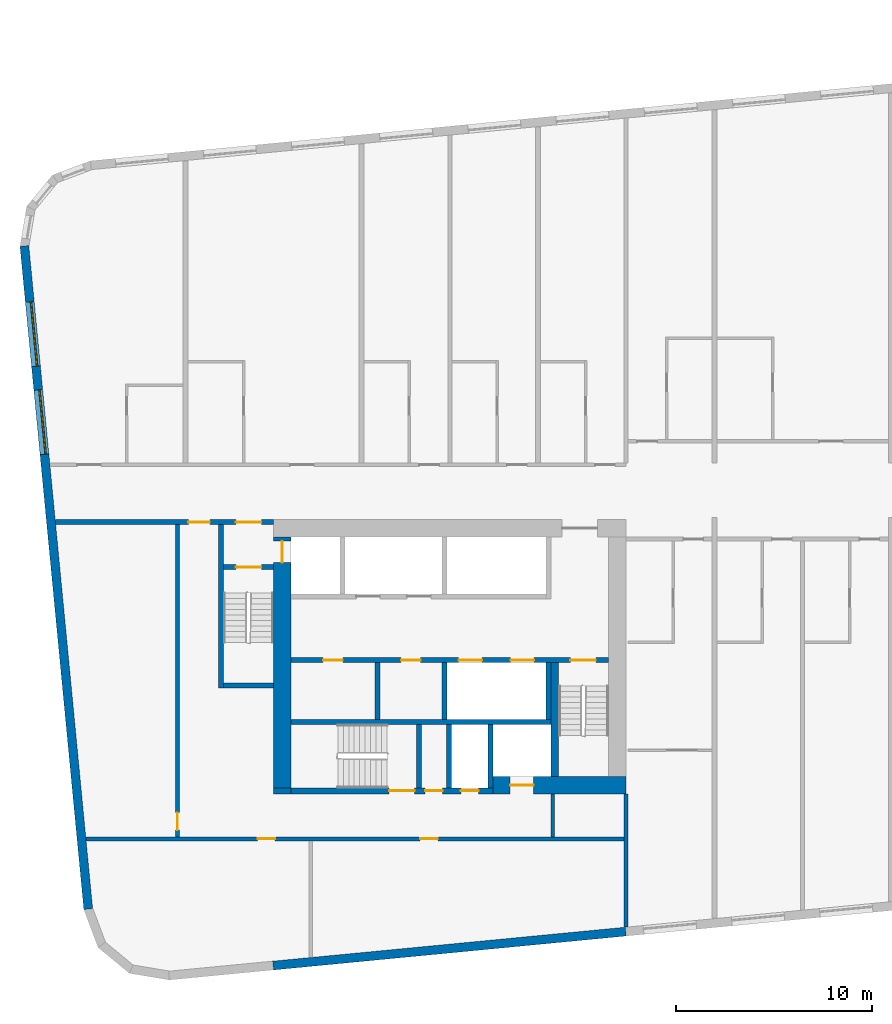
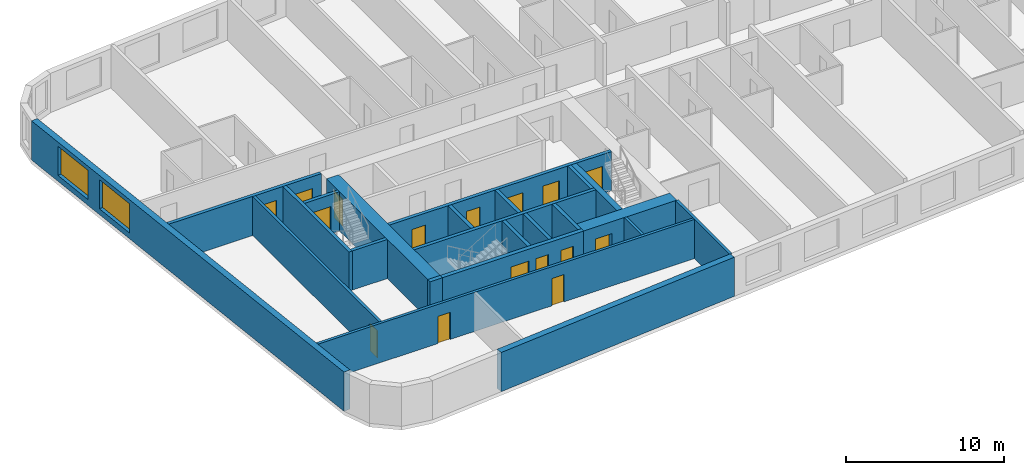
# One storey, part 2 of 12: 23 walls, 16 doors, 2 windows, 18 openings.
"""IFC4 building model written with IfcOpenShell, lengths in metres."""

from ifc_helpers import new_model, si_unit, direction, frame, frame_2d, origin, place, context, subcontext, project, spatial, rectangle, extrude, material, layer, layer_set, type_object, element, fill, save


model = new_model("IFC4")

# Units and contexts
model_context = context("Model", 3, precision=1e-05, world=origin(), true_north=direction((0.0, 1.0)))
body_context = subcontext(model_context, "Body", "Model", "MODEL_VIEW")
ifc_project = project(units=[si_unit("LENGTHUNIT", "METRE"), si_unit("AREAUNIT", "SQUARE_METRE"), si_unit("VOLUMEUNIT", "CUBIC_METRE"), si_unit("PLANEANGLEUNIT", "RADIAN"), si_unit("MASSUNIT", "GRAM", prefix="KILO")], contexts=[model_context])

# Site, building, storey
site_placement = place(None, origin())
site = spatial("IfcSite", under=ifc_project, at=site_placement, CompositionType="ELEMENT")
building_placement = place(site_placement, origin())
building = spatial("IfcBuilding", under=site, at=building_placement, Name="Kajstack Hotel Tower", CompositionType="ELEMENT")
storey_placement = place(building_placement, frame((0.0, 0.0, 183.39990234375)))
storey = spatial("IfcBuildingStorey", under=building, at=storey_placement, Name="L43", CompositionType="ELEMENT", Elevation=183.39990234375)

# Wall, opening, door
ifc_material_1 = material(Name="Concrete C60/75", Category="concrete")
ifc_layer_1 = layer(ifc_material_1, 0.89990234375)
ifc_layer_set_1 = layer_set([ifc_layer_1], Name="Core wall 900")
wall_type_1 = type_object("IfcWallType", Name="Core wall 900", PredefinedType="SHEAR", material=ifc_layer_set_1)
wall_1_placement = place(storey_placement, frame((-20.300048828125, -15.050048828125, 0.0), z_axis=(0.0, 0.0, 1.0), x_axis=(1.0, 0.0, 0.0)))
wall_1 = element("IfcWall", 1, at=wall_1_placement, inside=storey, type_object=wall_type_1, Name="Core wall W RS", PredefinedType="SHEAR", context=body_context, shape_type="SweptSolid", body=[
    extrude(rectangle(XDim=6.800048828125, YDim=0.89990234375, at=frame_2d((3.39990234375, 0.0))), origin(), (0.0, 0.0, 1.0), 3.02001953125),
])
opening_1_placement = place(wall_1_placement, frame((0.875, 0.0, 0.0)))
opening_1 = element("IfcOpeningElement", 2, at=opening_1_placement, cuts=wall_1, Name="Opening LD-SV1", PredefinedType="OPENING", context=body_context, shape_type="SweptSolid", body=[
    extrude(rectangle(XDim=1.199951171875, YDim=2.10009765625, at=frame_2d((0.60009765625, 1.050048828125))), frame((0.0, 0.4599609375, 0.0), z_axis=(0.0, -1.0, 0.0), x_axis=(1.0, 0.0, 0.0)), (0.0, 0.0, 1.0), 0.919921875),
])
ifc_material_2 = material(Name="Stainless steel", Category="steel")
door_type_1 = type_object("IfcDoorType", Name="Lift landing door 1200", OperationType="SLIDING_TO_LEFT", PredefinedType="DOOR", material=ifc_material_2)
door_1_placement = place(opening_1_placement, origin())
door_1 = element("IfcDoor", 3, at=door_1_placement, inside=storey, type_object=door_type_1, Name="Landing door SV1", OperationType="SLIDING_TO_LEFT", OverallHeight=2.10009765625, OverallWidth=1.199951171875, PredefinedType="DOOR", context=body_context, shape_type="SweptSolid", body=[
    extrude(rectangle(XDim=1.199951171875, YDim=2.10009765625, at=frame_2d((0.60009765625, 1.050048828125))), frame((0.0, 0.02490234375, 0.0), z_axis=(0.0, -1.0, 0.0), x_axis=(1.0, 0.0, 0.0)), (0.0, 0.0, 1.0), 0.050048828125),
])
fill(opening_1, door_1)

# Wall
wall_2_placement = place(storey_placement, frame((-31.5, -15.35009765625, 0.0), z_axis=(0.0, 0.0, 1.0), x_axis=(1.0, 0.0, 0.0)))
element("IfcWall", 4, at=wall_2_placement, inside=storey, type_object=wall_type_1, Name="Core wall W RSW", PredefinedType="SHEAR", context=body_context, shape_type="SweptSolid", body=[
    extrude(rectangle(XDim=0.89990234375, YDim=0.300048828125, at=frame_2d((0.449951171875, 0.0))), origin(), (0.0, 0.0, 1.0), 3.02001953125),
])

# Wall, opening, door
wall_3_placement = place(storey_placement, frame((-31.050048828125, -15.199951171875, 0.0), z_axis=(0.0, 0.0, 1.0), x_axis=(0.0, 1.0, 0.0)))
wall_3 = element("IfcWall", 5, at=wall_3_placement, inside=storey, type_object=wall_type_1, Name="Core wall W RW", PredefinedType="SHEAR", context=body_context, shape_type="SweptSolid", body=[
    extrude(rectangle(XDim=12.800048828125, YDim=0.89990234375, at=frame_2d((6.39990234375, 0.0))), origin(), (0.0, 0.0, 1.0), 3.02001953125),
])
opening_2_placement = place(wall_3_placement, frame((11.5, 0.0, 0.0)))
opening_2 = element("IfcOpeningElement", 6, at=opening_2_placement, cuts=wall_3, Name="Opening LD-FF1", PredefinedType="OPENING", context=body_context, shape_type="SweptSolid", body=[
    extrude(rectangle(XDim=1.10009765625, YDim=2.10009765625, at=frame_2d((0.550048828125, 1.050048828125))), frame((0.0, 0.4599609375, 0.0), z_axis=(0.0, -1.0, 0.0), x_axis=(1.0, 0.0, 0.0)), (0.0, 0.0, 1.0), 0.919921875),
])
door_type_2 = type_object("IfcDoorType", Name="Fire-fighting lift landing door 1100", OperationType="SLIDING_TO_LEFT", PredefinedType="DOOR", material=ifc_material_2)
door_2_placement = place(opening_2_placement, origin())
door_2 = element("IfcDoor", 7, at=door_2_placement, inside=storey, type_object=door_type_2, Name="Landing door FF1", OperationType="SLIDING_TO_RIGHT", OverallHeight=2.10009765625, OverallWidth=1.10009765625, PredefinedType="DOOR", context=body_context, shape_type="SweptSolid", body=[
    extrude(rectangle(XDim=1.10009765625, YDim=2.10009765625, at=frame_2d((0.550048828125, 1.050048828125))), frame((0.0, 0.02490234375, 0.0), z_axis=(0.0, -1.0, 0.0), x_axis=(1.0, 0.0, 0.0)), (0.0, 0.0, 1.0), 0.050048828125),
])
fill(opening_2, door_2)

# Walls
ifc_material_3 = material(Name="Twin-frame gypsum board on steel studs, mineral wool", Category="steel")
ifc_layer_2 = layer(ifc_material_3, 0.199951171875)
ifc_layer_set_2 = layer_set([ifc_layer_2], Name="Demising wall 200")
wall_type_2 = type_object("IfcWallType", Name="Demising wall 200", PredefinedType="PARTITIONING", material=ifc_layer_set_2)
wall_4_placement = place(storey_placement, frame((-13.5, -22.300048828125, 0.0), z_axis=(0.0, 0.0, 1.0), x_axis=(0.0, 1.0, 0.0)))
element("IfcWall", 8, at=wall_4_placement, inside=storey, type_object=wall_type_2, Name="G-wall-L43-002", PredefinedType="PARTITIONING", context=body_context, shape_type="SweptSolid", body=[
    extrude(rectangle(XDim=6.800048828125, YDim=0.199951171875, at=frame_2d((3.39990234375, 0.0))), origin(), (0.0, 0.0, 1.0), 3.02001953125),
])
ifc_material_4 = material(Name="Concrete C40/50", Category="concrete")
ifc_layer_3 = layer(ifc_material_4, 0.449951171875)
ifc_layer_set_3 = layer_set([ifc_layer_3], Name="EW-CORE")
wall_type_3 = type_object("IfcWallType", Name="EW-CORE", PredefinedType="SOLIDWALL", material=ifc_layer_set_3)
wall_5_placement = place(storey_placement, frame((-31.521484375, -24.26171875, 0.0), z_axis=(0.0, 0.0, 1.0), x_axis=(0.995396454615, 0.095843091245, 0.0)))
element("IfcWall", 9, at=wall_5_placement, inside=storey, type_object=wall_type_3, Name="E-wall-L43-04-01", PredefinedType="SOLIDWALL", context=body_context, shape_type="SweptSolid", body=[
    extrude(rectangle(XDim=18.083251953125, YDim=0.449951171875, at=frame_2d((9.04150390625, 0.0))), origin(), (0.0, 0.0, 1.0), 3.02001953125),
])

# Wall, openings, windows
ifc_material_5 = material(Name="Terracotta-faced brick masonry", Category="masonry")
ifc_layer_4 = layer(ifc_material_5, 0.449951171875)
ifc_layer_set_4 = layer_set([ifc_layer_4], Name="EW-TERRA")
wall_type_4 = type_object("IfcWallType", Name="EW-TERRA", PredefinedType="SOLIDWALL", material=ifc_layer_set_4)
wall_6_placement = place(storey_placement, frame((-44.21435546875, 12.465576171875, 0.0), z_axis=(0.0, 0.0, 1.0), x_axis=(0.095847314626, -0.995396047952, 0.0)))
wall_6 = element("IfcWall", 10, at=wall_6_placement, inside=storey, type_object=wall_type_4, Name="E-wall-L43-00-00", PredefinedType="SOLIDWALL", context=body_context, shape_type="SweptSolid", body=[
    extrude(rectangle(XDim=33.999755859375, YDim=0.449951171875, at=frame_2d((17.0, 0.0))), origin(), (0.0, 0.0, 1.0), 3.02001953125),
])
opening_3_placement = place(wall_6_placement, frame((2.864990234375, 0.0, 0.449951171875)))
opening_3 = element("IfcOpeningElement", 11, at=opening_3_placement, cuts=wall_6, Name="Opening W2", PredefinedType="OPENING", context=body_context, shape_type="SweptSolid", body=[
    extrude(rectangle(XDim=3.300048828125, YDim=2.25, at=frame_2d((1.64990234375, 1.125))), frame((0.0, 0.23486328125, 0.0), z_axis=(0.0, -1.0, 0.0), x_axis=(1.0, 0.0, 0.0)), (0.0, 0.0, 1.0), 0.469970703125),
])
opening_4_placement = place(wall_6_placement, frame((7.3857421875, 0.0, 0.449951171875)))
opening_4 = element("IfcOpeningElement", 12, at=opening_4_placement, cuts=wall_6, Name="Opening W2", PredefinedType="OPENING", context=body_context, shape_type="SweptSolid", body=[
    extrude(rectangle(XDim=3.300048828125, YDim=2.25, at=frame_2d((1.64990234375, 1.125))), frame((0.0, 0.23486328125, 0.0), z_axis=(0.0, -1.0, 0.0), x_axis=(1.0, 0.0, 0.0)), (0.0, 0.0, 1.0), 0.469970703125),
])
ifc_material_6 = material(Name="Timber-aluminium window, triple glazed", Category="wood")
window_type = type_object("IfcWindowType", Name="WG2", PartitioningType="SINGLE_PANEL", PredefinedType="WINDOW", material=ifc_material_6)
window_1_placement = place(opening_3_placement, origin())
window_1 = element("IfcWindow", 13, at=window_1_placement, inside=storey, type_object=window_type, Name="Window W2 L43-00", OverallHeight=2.25, OverallWidth=3.300048828125, PartitioningType="SINGLE_PANEL", PredefinedType="WINDOW", context=body_context, shape_type="SweptSolid", body=[
    extrude(rectangle(XDim=3.300048828125, YDim=2.25, at=frame_2d((1.64990234375, 1.125))), frame((0.0, 0.090087890625, 0.0), z_axis=(0.0, -1.0, 0.0), x_axis=(1.0, 0.0, 0.0)), (0.0, 0.0, 1.0), 0.06005859375),
])
fill(opening_3, window_1)
window_2_placement = place(opening_4_placement, origin())
window_2 = element("IfcWindow", 14, at=window_2_placement, inside=storey, type_object=window_type, Name="Window W2 L43-00", OverallHeight=2.25, OverallWidth=3.300048828125, PartitioningType="SINGLE_PANEL", PredefinedType="WINDOW", context=body_context, shape_type="SweptSolid", body=[
    extrude(rectangle(XDim=3.300048828125, YDim=2.25, at=frame_2d((1.64990234375, 1.125))), frame((0.0, 0.090087890625, 0.0), z_axis=(0.0, -1.0, 0.0), x_axis=(1.0, 0.0, 0.0)), (0.0, 0.0, 1.0), 0.06005859375),
])
fill(opening_4, window_2)

# Walls
ifc_material_7 = material(Name="Concrete C50/60", Category="concrete")
ifc_layer_5 = layer(ifc_material_7, 0.300048828125)
ifc_layer_set_5 = layer_set([ifc_layer_5], Name="Hoistway divider wall 300")
wall_type_5 = type_object("IfcWallType", Name="Hoistway divider wall 300", PredefinedType="SHEAR", material=ifc_layer_set_5)
wall_7_placement = place(storey_placement, frame((-22.77490234375, -11.699951171875, 0.0), z_axis=(0.0, 0.0, 1.0), x_axis=(0.0, 1.0, 0.0)))
element("IfcWall", 15, at=wall_7_placement, inside=storey, type_object=wall_type_5, Name="Core wall W BP2", PredefinedType="SHEAR", context=body_context, shape_type="SweptSolid", body=[
    extrude(rectangle(XDim=2.89990234375, YDim=0.25, at=frame_2d((1.449951171875, 0.0))), origin(), (0.0, 0.0, 1.0), 3.02001953125),
])
ifc_material_8 = material(Name="Concrete block masonry", Category="masonry")
ifc_layer_6 = layer(ifc_material_8, 0.25)
ifc_layer_set_6 = layer_set([ifc_layer_6], Name="Riser partition 250")
wall_type_6 = type_object("IfcWallType", Name="Riser partition 250", PredefinedType="PARTITIONING", material=ifc_layer_set_6)
wall_8_placement = place(storey_placement, frame((-26.199951171875, -11.699951171875, 0.0), z_axis=(0.0, 0.0, 1.0), x_axis=(0.0, 1.0, 0.0)))
element("IfcWall", 16, at=wall_8_placement, inside=storey, type_object=wall_type_6, Name="Partition W BF0", PredefinedType="PARTITIONING", context=body_context, shape_type="SweptSolid", body=[
    extrude(rectangle(XDim=2.89990234375, YDim=0.25, at=frame_2d((1.449951171875, 0.0))), origin(), (0.0, 0.0, 1.0), 3.02001953125),
])
wall_9_placement = place(storey_placement, frame((-22.550048828125, -15.199951171875, 0.0), z_axis=(0.0, 0.0, 1.0), x_axis=(0.0, 1.0, 0.0)))
element("IfcWall", 17, at=wall_9_placement, inside=storey, type_object=wall_type_6, Name="Partition W SZ0", PredefinedType="PARTITIONING", context=body_context, shape_type="SweptSolid", body=[
    extrude(rectangle(XDim=3.25, YDim=0.25, at=frame_2d((1.625, 0.0))), origin(), (0.0, 0.0, 1.0), 3.02001953125),
])

# Wall, openings, doors
ifc_material_9 = material(Name="Gypsum board on steel studs, mineral wool", Category="steel")
ifc_layer_7 = layer(ifc_material_9, 0.199951171875)
ifc_layer_set_7 = layer_set([ifc_layer_7], Name="Service partition 200")
wall_type_7 = type_object("IfcWallType", Name="Service partition 200", PredefinedType="PARTITIONING", material=ifc_layer_set_7)
wall_10_placement = place(storey_placement, frame((-42.631591796875, -1.625, 0.0), z_axis=(0.0, 0.0, 1.0), x_axis=(1.0, 0.0, 0.0)))
wall_10 = element("IfcWall", 18, at=wall_10_placement, inside=storey, type_object=wall_type_7, Name="Partition W SN", PredefinedType="PARTITIONING", context=body_context, shape_type="SweptSolid", body=[
    extrude(rectangle(XDim=11.131591796875, YDim=0.25, at=frame_2d((5.56591796875, 0.0))), origin(), (0.0, 0.0, 1.0), 3.02001953125),
])
opening_5_placement = place(wall_10_placement, frame((9.20654296875, 0.0, 0.0)))
opening_5 = element("IfcOpeningElement", 19, at=opening_5_placement, cuts=wall_10, Name="Opening 43W08", PredefinedType="OPENING", context=body_context, shape_type="SweptSolid", body=[
    extrude(rectangle(XDim=1.300048828125, YDim=2.10009765625, at=frame_2d((0.64990234375, 1.050048828125))), frame((0.0, 0.135009765625, 0.0), z_axis=(0.0, -1.0, 0.0), x_axis=(1.0, 0.0, 0.0)), (0.0, 0.0, 1.0), 0.27001953125),
])
opening_6_placement = place(wall_10_placement, frame((6.781494140625, 0.0, 0.0)))
opening_6 = element("IfcOpeningElement", 20, at=opening_6_placement, cuts=wall_10, Name="Opening 43W10", PredefinedType="OPENING", context=body_context, shape_type="SweptSolid", body=[
    extrude(rectangle(XDim=1.10009765625, YDim=2.10009765625, at=frame_2d((0.550048828125, 1.050048828125))), frame((0.0, 0.135009765625, 0.0), z_axis=(0.0, -1.0, 0.0), x_axis=(1.0, 0.0, 0.0)), (0.0, 0.0, 1.0), 0.27001953125),
])
ifc_material_10 = material(Name="Steel leaf, fire-rated", Category="steel")
door_type_3 = type_object("IfcDoorType", Name="Fire lobby door 1300", OperationType="SINGLE_SWING_LEFT", PredefinedType="DOOR", material=ifc_material_10)
door_3_placement = place(opening_5_placement, origin())
door_3 = element("IfcDoor", 21, at=door_3_placement, inside=storey, type_object=door_type_3, Name="Door 43W08", OperationType="SINGLE_SWING_RIGHT", OverallHeight=2.10009765625, OverallWidth=1.300048828125, PredefinedType="DOOR", context=body_context, shape_type="SweptSolid", body=[
    extrude(rectangle(XDim=1.300048828125, YDim=2.10009765625, at=frame_2d((0.64990234375, 1.050048828125))), frame((0.0, 0.02490234375, 0.0), z_axis=(0.0, -1.0, 0.0), x_axis=(1.0, 0.0, 0.0)), (0.0, 0.0, 1.0), 0.050048828125),
])
fill(opening_5, door_3)
ifc_material_11 = material(Name="Timber leaf, fire-rated", Category="wood")
door_type_4 = type_object("IfcDoorType", Name="Service corridor door 1100", OperationType="SINGLE_SWING_LEFT", PredefinedType="DOOR", material=ifc_material_11)
door_4_placement = place(opening_6_placement, origin())
door_4 = element("IfcDoor", 22, at=door_4_placement, inside=storey, type_object=door_type_4, Name="Door 43W10", OperationType="SINGLE_SWING_RIGHT", OverallHeight=2.10009765625, OverallWidth=1.10009765625, PredefinedType="DOOR", context=body_context, shape_type="SweptSolid", body=[
    extrude(rectangle(XDim=1.10009765625, YDim=2.10009765625, at=frame_2d((0.550048828125, 1.050048828125))), frame((0.0, 0.02490234375, 0.0), z_axis=(0.0, -1.0, 0.0), x_axis=(1.0, 0.0, 0.0)), (0.0, 0.0, 1.0), 0.050048828125),
])
fill(opening_6, door_4)

# Wall
wall_11_placement = place(storey_placement, frame((-17.25, -17.699951171875, 0.0), z_axis=(0.0, 0.0, 1.0), x_axis=(0.0, 1.0, 0.0)))
element("IfcWall", 23, at=wall_11_placement, inside=storey, type_object=wall_type_7, Name="Partition W SCE", PredefinedType="PARTITIONING", context=body_context, shape_type="SweptSolid", body=[
    extrude(rectangle(XDim=2.199951171875, YDim=0.199951171875, at=frame_2d((1.10009765625, 0.0))), origin(), (0.0, 0.0, 1.0), 3.02001953125),
])

# Wall, opening, door
wall_12_placement = place(storey_placement, frame((-36.39990234375, -17.699951171875, 0.0), z_axis=(0.0, 0.0, 1.0), x_axis=(0.0, 1.0, 0.0)))
wall_12 = element("IfcWall", 24, at=wall_12_placement, inside=storey, type_object=wall_type_7, Name="Partition W WRE", PredefinedType="PARTITIONING", context=body_context, shape_type="SweptSolid", body=[
    extrude(rectangle(XDim=15.949951171875, YDim=0.199951171875, at=frame_2d((7.97509765625, 0.0))), origin(), (0.0, 0.0, 1.0), 3.02001953125),
])
opening_7_placement = place(wall_12_placement, frame((0.35009765625, 0.0, 0.0)))
opening_7 = element("IfcOpeningElement", 25, at=opening_7_placement, cuts=wall_12, Name="Opening 43W19", PredefinedType="OPENING", context=body_context, shape_type="SweptSolid", body=[
    extrude(rectangle(XDim=0.89990234375, YDim=2.10009765625, at=frame_2d((0.449951171875, 1.050048828125))), frame((0.0, 0.10986328125, 0.0), z_axis=(0.0, -1.0, 0.0), x_axis=(1.0, 0.0, 0.0)), (0.0, 0.0, 1.0), 0.219970703125),
])
door_type_5 = type_object("IfcDoorType", Name="Service door 900", OperationType="SINGLE_SWING_LEFT", PredefinedType="DOOR", material=ifc_material_11)
door_5_placement = place(opening_7_placement, origin())
door_5 = element("IfcDoor", 26, at=door_5_placement, inside=storey, type_object=door_type_5, Name="Door 43W19", OperationType="SINGLE_SWING_LEFT", OverallHeight=2.10009765625, OverallWidth=0.89990234375, PredefinedType="DOOR", context=body_context, shape_type="SweptSolid", body=[
    extrude(rectangle(XDim=0.89990234375, YDim=2.10009765625, at=frame_2d((0.449951171875, 1.050048828125))), frame((0.0, 0.02490234375, 0.0), z_axis=(0.0, -1.0, 0.0), x_axis=(1.0, 0.0, 0.0)), (0.0, 0.0, 1.0), 0.050048828125),
])
fill(opening_7, door_5)

# Wall, openings, doors
wall_13_placement = place(storey_placement, frame((-41.07421875, -17.800048828125, 0.0), z_axis=(0.0, 0.0, 1.0), x_axis=(1.0, 0.0, 0.0)))
wall_13 = element("IfcWall", 27, at=wall_13_placement, inside=storey, type_object=wall_type_7, Name="Partition W SLN", PredefinedType="PARTITIONING", context=body_context, shape_type="SweptSolid", body=[
    extrude(rectangle(XDim=27.47412109375, YDim=0.199951171875, at=frame_2d((13.737060546875, 0.0))), origin(), (0.0, 0.0, 1.0), 3.02001953125),
])
opening_8_placement = place(wall_13_placement, frame((8.76171875, 0.0, 0.0)))
opening_8 = element("IfcOpeningElement", 28, at=opening_8_placement, cuts=wall_13, Name="Opening 43W17", PredefinedType="OPENING", context=body_context, shape_type="SweptSolid", body=[
    extrude(rectangle(XDim=0.89990234375, YDim=2.10009765625, at=frame_2d((0.449951171875, 1.050048828125))), frame((0.0, 0.10986328125, 0.0), z_axis=(0.0, -1.0, 0.0), x_axis=(1.0, 0.0, 0.0)), (0.0, 0.0, 1.0), 0.219970703125),
])
opening_9_placement = place(wall_13_placement, frame((17.0615234375, 0.0, 0.0)))
opening_9 = element("IfcOpeningElement", 29, at=opening_9_placement, cuts=wall_13, Name="Opening 43W18", PredefinedType="OPENING", context=body_context, shape_type="SweptSolid", body=[
    extrude(rectangle(XDim=0.89990234375, YDim=2.10009765625, at=frame_2d((0.449951171875, 1.050048828125))), frame((0.0, 0.10986328125, 0.0), z_axis=(0.0, -1.0, 0.0), x_axis=(1.0, 0.0, 0.0)), (0.0, 0.0, 1.0), 0.219970703125),
])
door_6_placement = place(opening_8_placement, origin())
door_6 = element("IfcDoor", 30, at=door_6_placement, inside=storey, type_object=door_type_5, Name="Door 43W17", OperationType="SINGLE_SWING_RIGHT", OverallHeight=2.10009765625, OverallWidth=0.89990234375, PredefinedType="DOOR", context=body_context, shape_type="SweptSolid", body=[
    extrude(rectangle(XDim=0.89990234375, YDim=2.10009765625, at=frame_2d((0.449951171875, 1.050048828125))), frame((0.0, 0.02490234375, 0.0), z_axis=(0.0, -1.0, 0.0), x_axis=(1.0, 0.0, 0.0)), (0.0, 0.0, 1.0), 0.050048828125),
])
fill(opening_8, door_6)
door_7_placement = place(opening_9_placement, origin())
door_7 = element("IfcDoor", 31, at=door_7_placement, inside=storey, type_object=door_type_5, Name="Door 43W18", OperationType="SINGLE_SWING_RIGHT", OverallHeight=2.10009765625, OverallWidth=0.89990234375, PredefinedType="DOOR", context=body_context, shape_type="SweptSolid", body=[
    extrude(rectangle(XDim=0.89990234375, YDim=2.10009765625, at=frame_2d((0.449951171875, 1.050048828125))), frame((0.0, 0.02490234375, 0.0), z_axis=(0.0, -1.0, 0.0), x_axis=(1.0, 0.0, 0.0)), (0.0, 0.0, 1.0), 0.050048828125),
])
fill(opening_9, door_7)

ifc_layer_8 = layer(ifc_material_7, 0.25)
ifc_layer_set_8 = layer_set([ifc_layer_8], Name="Shaft wall 250")
wall_type_8 = type_object("IfcWallType", Name="Shaft wall 250", PredefinedType="SHEAR", material=ifc_layer_set_8)
wall_14_placement = place(storey_placement, frame((-30.60009765625, -15.35009765625, 0.0), z_axis=(0.0, 0.0, 1.0), x_axis=(1.0, 0.0, 0.0)))
wall_14 = element("IfcWall", 32, at=wall_14_placement, inside=storey, type_object=wall_type_8, Name="Core wall W RSS", PredefinedType="SHEAR", context=body_context, shape_type="SweptSolid", body=[
    extrude(rectangle(XDim=10.300048828125, YDim=0.300048828125, at=frame_2d((5.14990234375, 0.0))), origin(), (0.0, 0.0, 1.0), 3.02001953125),
])
opening_10_placement = place(wall_14_placement, frame((5.0, 0.0, 0.0)))
opening_10 = element("IfcOpeningElement", 33, at=opening_10_placement, cuts=wall_14, Name="Opening 43W12", PredefinedType="OPENING", context=body_context, shape_type="SweptSolid", body=[
    extrude(rectangle(XDim=1.300048828125, YDim=2.10009765625, at=frame_2d((0.64990234375, 1.050048828125))), frame((0.0, 0.159912109375, 0.0), z_axis=(0.0, -1.0, 0.0), x_axis=(1.0, 0.0, 0.0)), (0.0, 0.0, 1.0), 0.320068359375),
])
opening_11_placement = place(wall_14_placement, frame((6.83740234375, 0.0, 0.0)))
opening_11 = element("IfcOpeningElement", 34, at=opening_11_placement, cuts=wall_14, Name="Opening 43W13", PredefinedType="OPENING", context=body_context, shape_type="SweptSolid", body=[
    extrude(rectangle(XDim=0.89990234375, YDim=2.10009765625, at=frame_2d((0.449951171875, 1.050048828125))), frame((0.0, 0.159912109375, 0.0), z_axis=(0.0, -1.0, 0.0), x_axis=(1.0, 0.0, 0.0)), (0.0, 0.0, 1.0), 0.320068359375),
])
opening_12_placement = place(wall_14_placement, frame((8.66259765625, 0.0, 0.0)))
opening_12 = element("IfcOpeningElement", 35, at=opening_12_placement, cuts=wall_14, Name="Opening 43W14", PredefinedType="OPENING", context=body_context, shape_type="SweptSolid", body=[
    extrude(rectangle(XDim=0.89990234375, YDim=2.10009765625, at=frame_2d((0.449951171875, 1.050048828125))), frame((0.0, 0.159912109375, 0.0), z_axis=(0.0, -1.0, 0.0), x_axis=(1.0, 0.0, 0.0)), (0.0, 0.0, 1.0), 0.320068359375),
])
door_type_6 = type_object("IfcDoorType", Name="Riser door 900", OperationType="SINGLE_SWING_LEFT", PredefinedType="DOOR", material=ifc_material_10)
door_8_placement = place(opening_12_placement, origin())
door_8 = element("IfcDoor", 36, at=door_8_placement, inside=storey, type_object=door_type_6, Name="Door 43W14", OperationType="SINGLE_SWING_LEFT", OverallHeight=2.10009765625, OverallWidth=0.89990234375, PredefinedType="DOOR", context=body_context, shape_type="SweptSolid", body=[
    extrude(rectangle(XDim=0.89990234375, YDim=2.10009765625, at=frame_2d((0.449951171875, 1.050048828125))), frame((0.0, 0.02490234375, 0.0), z_axis=(0.0, -1.0, 0.0), x_axis=(1.0, 0.0, 0.0)), (0.0, 0.0, 1.0), 0.050048828125),
])
fill(opening_12, door_8)
door_9_placement = place(opening_11_placement, origin())
door_9 = element("IfcDoor", 37, at=door_9_placement, inside=storey, type_object=door_type_5, Name="Door 43W13", OperationType="SINGLE_SWING_LEFT", OverallHeight=2.10009765625, OverallWidth=0.89990234375, PredefinedType="DOOR", context=body_context, shape_type="SweptSolid", body=[
    extrude(rectangle(XDim=0.89990234375, YDim=2.10009765625, at=frame_2d((0.449951171875, 1.050048828125))), frame((0.0, 0.02490234375, 0.0), z_axis=(0.0, -1.0, 0.0), x_axis=(1.0, 0.0, 0.0)), (0.0, 0.0, 1.0), 0.050048828125),
])
fill(opening_11, door_9)
door_type_7 = type_object("IfcDoorType", Name="Stair door 1300", OperationType="SINGLE_SWING_LEFT", PredefinedType="DOOR", material=ifc_material_10)
door_10_placement = place(opening_10_placement, origin())
door_10 = element("IfcDoor", 38, at=door_10_placement, inside=storey, type_object=door_type_7, Name="Door 43W12", OperationType="SINGLE_SWING_RIGHT", OverallHeight=2.10009765625, OverallWidth=1.300048828125, PredefinedType="DOOR", context=body_context, shape_type="SweptSolid", body=[
    extrude(rectangle(XDim=1.300048828125, YDim=2.10009765625, at=frame_2d((0.64990234375, 1.050048828125))), frame((0.0, 0.02490234375, 0.0), z_axis=(0.0, -1.0, 0.0), x_axis=(1.0, 0.0, 0.0)), (0.0, 0.0, 1.0), 0.050048828125),
])
fill(opening_10, door_10)

wall_15_placement = place(storey_placement, frame((-30.60009765625, -8.675048828125, 0.0), z_axis=(0.0, 0.0, 1.0), x_axis=(1.0, 0.0, 0.0)))
wall_15 = element("IfcWall", 39, at=wall_15_placement, inside=storey, type_object=wall_type_8, Name="Core wall W FB", PredefinedType="SHEAR", context=body_context, shape_type="SweptSolid", body=[
    extrude(rectangle(XDim=16.2001953125, YDim=0.25, at=frame_2d((8.10009765625, 0.0))), origin(), (0.0, 0.0, 1.0), 3.02001953125),
])
opening_13_placement = place(wall_15_placement, frame((8.550048828125, 0.0, 0.0)))
opening_13 = element("IfcOpeningElement", 40, at=opening_13_placement, cuts=wall_15, Name="Opening LD-MR1", PredefinedType="OPENING", context=body_context, shape_type="SweptSolid", body=[
    extrude(rectangle(XDim=1.199951171875, YDim=2.10009765625, at=frame_2d((0.60009765625, 1.050048828125))), frame((0.0, 0.135009765625, 0.0), z_axis=(0.0, -1.0, 0.0), x_axis=(1.0, 0.0, 0.0)), (0.0, 0.0, 1.0), 0.27001953125),
])
opening_14_placement = place(wall_15_placement, frame((11.199951171875, 0.0, 0.0)))
opening_14 = element("IfcOpeningElement", 41, at=opening_14_placement, cuts=wall_15, Name="Opening LD-MR2", PredefinedType="OPENING", context=body_context, shape_type="SweptSolid", body=[
    extrude(rectangle(XDim=1.199951171875, YDim=2.10009765625, at=frame_2d((0.60009765625, 1.050048828125))), frame((0.0, 0.135009765625, 0.0), z_axis=(0.0, -1.0, 0.0), x_axis=(1.0, 0.0, 0.0)), (0.0, 0.0, 1.0), 0.27001953125),
])
opening_15_placement = place(wall_15_placement, frame((14.25, 0.0, 0.0)))
opening_15 = element("IfcOpeningElement", 42, at=opening_15_placement, cuts=wall_15, Name="Opening 43W11", PredefinedType="OPENING", context=body_context, shape_type="SweptSolid", body=[
    extrude(rectangle(XDim=1.300048828125, YDim=2.10009765625, at=frame_2d((0.64990234375, 1.050048828125))), frame((0.0, 0.135009765625, 0.0), z_axis=(0.0, -1.0, 0.0), x_axis=(1.0, 0.0, 0.0)), (0.0, 0.0, 1.0), 0.27001953125),
])
opening_16_placement = place(wall_15_placement, frame((1.637451171875, 0.0, 0.0)))
opening_16 = element("IfcOpeningElement", 43, at=opening_16_placement, cuts=wall_15, Name="Opening 43W15", PredefinedType="OPENING", context=body_context, shape_type="SweptSolid", body=[
    extrude(rectangle(XDim=1.0, YDim=2.10009765625, at=frame_2d((0.5, 1.050048828125))), frame((0.0, 0.135009765625, 0.0), z_axis=(0.0, -1.0, 0.0), x_axis=(1.0, 0.0, 0.0)), (0.0, 0.0, 1.0), 0.27001953125),
])
opening_17_placement = place(wall_15_placement, frame((5.612548828125, 0.0, 0.0)))
opening_17 = element("IfcOpeningElement", 44, at=opening_17_placement, cuts=wall_15, Name="Opening 43W16", PredefinedType="OPENING", context=body_context, shape_type="SweptSolid", body=[
    extrude(rectangle(XDim=1.0, YDim=2.10009765625, at=frame_2d((0.5, 1.050048828125))), frame((0.0, 0.135009765625, 0.0), z_axis=(0.0, -1.0, 0.0), x_axis=(1.0, 0.0, 0.0)), (0.0, 0.0, 1.0), 0.27001953125),
])
door_11_placement = place(opening_13_placement, origin())
door_11 = element("IfcDoor", 45, at=door_11_placement, inside=storey, type_object=door_type_1, Name="Landing door MR1", OperationType="SLIDING_TO_LEFT", OverallHeight=2.10009765625, OverallWidth=1.199951171875, PredefinedType="DOOR", context=body_context, shape_type="SweptSolid", body=[
    extrude(rectangle(XDim=1.199951171875, YDim=2.10009765625, at=frame_2d((0.60009765625, 1.050048828125))), frame((0.0, 0.02490234375, 0.0), z_axis=(0.0, -1.0, 0.0), x_axis=(1.0, 0.0, 0.0)), (0.0, 0.0, 1.0), 0.050048828125),
])
fill(opening_13, door_11)
door_12_placement = place(opening_14_placement, origin())
door_12 = element("IfcDoor", 46, at=door_12_placement, inside=storey, type_object=door_type_1, Name="Landing door MR2", OperationType="SLIDING_TO_RIGHT", OverallHeight=2.10009765625, OverallWidth=1.199951171875, PredefinedType="DOOR", context=body_context, shape_type="SweptSolid", body=[
    extrude(rectangle(XDim=1.199951171875, YDim=2.10009765625, at=frame_2d((0.60009765625, 1.050048828125))), frame((0.0, 0.02490234375, 0.0), z_axis=(0.0, -1.0, 0.0), x_axis=(1.0, 0.0, 0.0)), (0.0, 0.0, 1.0), 0.050048828125),
])
fill(opening_14, door_12)
door_type_8 = type_object("IfcDoorType", Name="Service room door 1000", OperationType="SINGLE_SWING_LEFT", PredefinedType="DOOR", material=ifc_material_11)
door_13_placement = place(opening_16_placement, origin())
door_13 = element("IfcDoor", 47, at=door_13_placement, inside=storey, type_object=door_type_8, Name="Door 43W15", OperationType="SINGLE_SWING_RIGHT", OverallHeight=2.10009765625, OverallWidth=1.0, PredefinedType="DOOR", context=body_context, shape_type="SweptSolid", body=[
    extrude(rectangle(XDim=1.0, YDim=2.10009765625, at=frame_2d((0.5, 1.050048828125))), frame((0.0, 0.02490234375, 0.0), z_axis=(0.0, -1.0, 0.0), x_axis=(1.0, 0.0, 0.0)), (0.0, 0.0, 1.0), 0.050048828125),
])
fill(opening_16, door_13)
door_14_placement = place(opening_17_placement, origin())
door_14 = element("IfcDoor", 48, at=door_14_placement, inside=storey, type_object=door_type_8, Name="Door 43W16", OperationType="SINGLE_SWING_RIGHT", OverallHeight=2.10009765625, OverallWidth=1.0, PredefinedType="DOOR", context=body_context, shape_type="SweptSolid", body=[
    extrude(rectangle(XDim=1.0, YDim=2.10009765625, at=frame_2d((0.5, 1.050048828125))), frame((0.0, 0.02490234375, 0.0), z_axis=(0.0, -1.0, 0.0), x_axis=(1.0, 0.0, 0.0)), (0.0, 0.0, 1.0), 0.050048828125),
])
fill(opening_17, door_14)
door_15_placement = place(opening_15_placement, origin())
door_15 = element("IfcDoor", 49, at=door_15_placement, inside=storey, type_object=door_type_7, Name="Door 43W11", OperationType="SINGLE_SWING_RIGHT", OverallHeight=2.10009765625, OverallWidth=1.300048828125, PredefinedType="DOOR", context=body_context, shape_type="SweptSolid", body=[
    extrude(rectangle(XDim=1.300048828125, YDim=2.10009765625, at=frame_2d((0.64990234375, 1.050048828125))), frame((0.0, 0.02490234375, 0.0), z_axis=(0.0, -1.0, 0.0), x_axis=(1.0, 0.0, 0.0)), (0.0, 0.0, 1.0), 0.050048828125),
])
fill(opening_15, door_15)

# Walls
wall_16_placement = place(storey_placement, frame((-30.60009765625, -11.824951171875, 0.0), z_axis=(0.0, 0.0, 1.0), x_axis=(1.0, 0.0, 0.0)))
element("IfcWall", 50, at=wall_16_placement, inside=storey, type_object=wall_type_8, Name="Core wall W RB", PredefinedType="SHEAR", context=body_context, shape_type="SweptSolid", body=[
    extrude(rectangle(XDim=13.25, YDim=0.25, at=frame_2d((6.625, 0.0))), origin(), (0.0, 0.0, 1.0), 3.02001953125),
])
wall_17_placement = place(storey_placement, frame((-17.47509765625, -11.699951171875, 0.0), z_axis=(0.0, 0.0, 1.0), x_axis=(0.0, 1.0, 0.0)))
element("IfcWall", 51, at=wall_17_placement, inside=storey, type_object=wall_type_8, Name="Core wall W BE", PredefinedType="SHEAR", context=body_context, shape_type="SweptSolid", body=[
    extrude(rectangle(XDim=2.89990234375, YDim=0.25, at=frame_2d((1.449951171875, 0.0))), origin(), (0.0, 0.0, 1.0), 3.02001953125),
])
wall_18_placement = place(storey_placement, frame((-20.425048828125, -15.199951171875, 0.0), z_axis=(0.0, 0.0, 1.0), x_axis=(0.0, 1.0, 0.0)))
element("IfcWall", 52, at=wall_18_placement, inside=storey, type_object=wall_type_8, Name="Core wall W SVW", PredefinedType="SHEAR", context=body_context, shape_type="SweptSolid", body=[
    extrude(rectangle(XDim=3.25, YDim=0.25, at=frame_2d((1.625, 0.0))), origin(), (0.0, 0.0, 1.0), 3.02001953125),
])

# Wall, opening, door
ifc_layer_9 = layer(ifc_material_4, 0.25)
ifc_layer_set_9 = layer_set([ifc_layer_9], Name="Stair enclosure wall 250")
wall_type_9 = type_object("IfcWallType", Name="Stair enclosure wall 250", PredefinedType="SHEAR", material=ifc_layer_set_9)
wall_19_placement = place(storey_placement, frame((-34.050048828125, -3.925048828125, 0.0), z_axis=(0.0, 0.0, 1.0), x_axis=(1.0, 0.0, 0.0)))
wall_19 = element("IfcWall", 53, at=wall_19_placement, inside=storey, type_object=wall_type_9, Name="Core wall W W1N", PredefinedType="SHEAR", context=body_context, shape_type="SweptSolid", body=[
    extrude(rectangle(XDim=2.550048828125, YDim=0.25, at=frame_2d((1.27490234375, 0.0))), origin(), (0.0, 0.0, 1.0), 3.02001953125),
])
opening_18_placement = place(wall_19_placement, frame((0.625, 0.0, 0.0)))
opening_18 = element("IfcOpeningElement", 54, at=opening_18_placement, cuts=wall_19, Name="Opening 43W09", PredefinedType="OPENING", context=body_context, shape_type="SweptSolid", body=[
    extrude(rectangle(XDim=1.300048828125, YDim=2.10009765625, at=frame_2d((0.64990234375, 1.050048828125))), frame((0.0, 0.135009765625, 0.0), z_axis=(0.0, -1.0, 0.0), x_axis=(1.0, 0.0, 0.0)), (0.0, 0.0, 1.0), 0.27001953125),
])
door_16_placement = place(opening_18_placement, origin())
door_16 = element("IfcDoor", 55, at=door_16_placement, inside=storey, type_object=door_type_7, Name="Door 43W09", OperationType="SINGLE_SWING_RIGHT", OverallHeight=2.10009765625, OverallWidth=1.300048828125, PredefinedType="DOOR", context=body_context, shape_type="SweptSolid", body=[
    extrude(rectangle(XDim=1.300048828125, YDim=2.10009765625, at=frame_2d((0.64990234375, 1.050048828125))), frame((0.0, 0.02490234375, 0.0), z_axis=(0.0, -1.0, 0.0), x_axis=(1.0, 0.0, 0.0)), (0.0, 0.0, 1.0), 0.050048828125),
])
fill(opening_18, door_16)

# Walls
wall_20_placement = place(storey_placement, frame((-34.175048828125, -10.10009765625, 0.0), z_axis=(0.0, 0.0, 1.0), x_axis=(0.0, 1.0, 0.0)))
element("IfcWall", 56, at=wall_20_placement, inside=storey, type_object=wall_type_9, Name="Core wall W W1W", PredefinedType="SHEAR", context=body_context, shape_type="SweptSolid", body=[
    extrude(rectangle(XDim=8.35009765625, YDim=0.25, at=frame_2d((4.175048828125, 0.0))), origin(), (0.0, 0.0, 1.0), 3.02001953125),
])
wall_21_placement = place(storey_placement, frame((-34.050048828125, -9.97509765625, 0.0), z_axis=(0.0, 0.0, 1.0), x_axis=(1.0, 0.0, 0.0)))
element("IfcWall", 57, at=wall_21_placement, inside=storey, type_object=wall_type_9, Name="Core wall W W1S", PredefinedType="SHEAR", context=body_context, shape_type="SweptSolid", body=[
    extrude(rectangle(XDim=2.550048828125, YDim=0.25, at=frame_2d((1.27490234375, 0.0))), origin(), (0.0, 0.0, 1.0), 3.02001953125),
])
ifc_layer_10 = layer(ifc_material_7, 0.35009765625)
ifc_layer_set_10 = layer_set([ifc_layer_10], Name="Stair enclosure wall 350")
wall_type_10 = type_object("IfcWallType", Name="Stair enclosure wall 350", PredefinedType="SHEAR", material=ifc_layer_set_10)
wall_22_placement = place(storey_placement, frame((-24.074951171875, -15.199951171875, 0.0), z_axis=(0.0, 0.0, 1.0), x_axis=(0.0, 1.0, 0.0)))
element("IfcWall", 58, at=wall_22_placement, inside=storey, type_object=wall_type_10, Name="Core wall W W3E", PredefinedType="SHEAR", context=body_context, shape_type="SweptSolid", body=[
    extrude(rectangle(XDim=3.25, YDim=0.25, at=frame_2d((1.625, 0.0))), origin(), (0.0, 0.0, 1.0), 3.02001953125),
])
ifc_layer_11 = layer(ifc_material_7, 0.39990234375)
ifc_layer_set_11 = layer_set([ifc_layer_11], Name="Stair wall 400")
wall_type_11 = type_object("IfcWallType", Name="Stair wall 400", PredefinedType="SHEAR", material=ifc_layer_set_11)
wall_23_placement = place(storey_placement, frame((-17.14990234375, -14.60009765625, 0.0), z_axis=(0.0, 0.0, 1.0), x_axis=(0.0, 1.0, 0.0)))
element("IfcWall", 59, at=wall_23_placement, inside=storey, type_object=wall_type_11, Name="Core wall W WW2", PredefinedType="SHEAR", context=body_context, shape_type="SweptSolid", body=[
    extrude(rectangle(XDim=5.800048828125, YDim=0.39990234375, at=frame_2d((2.89990234375, 0.0))), origin(), (0.0, 0.0, 1.0), 3.02001953125),
])

save(model, "model.ifc")
